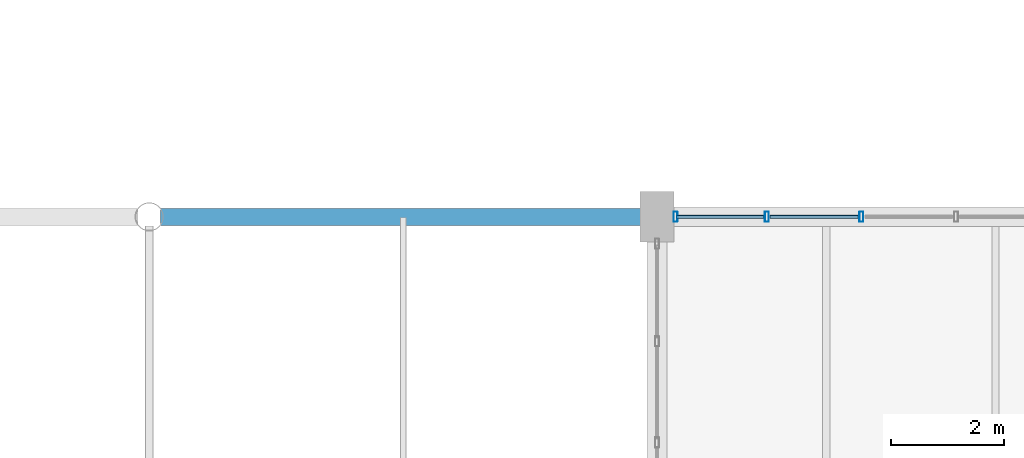
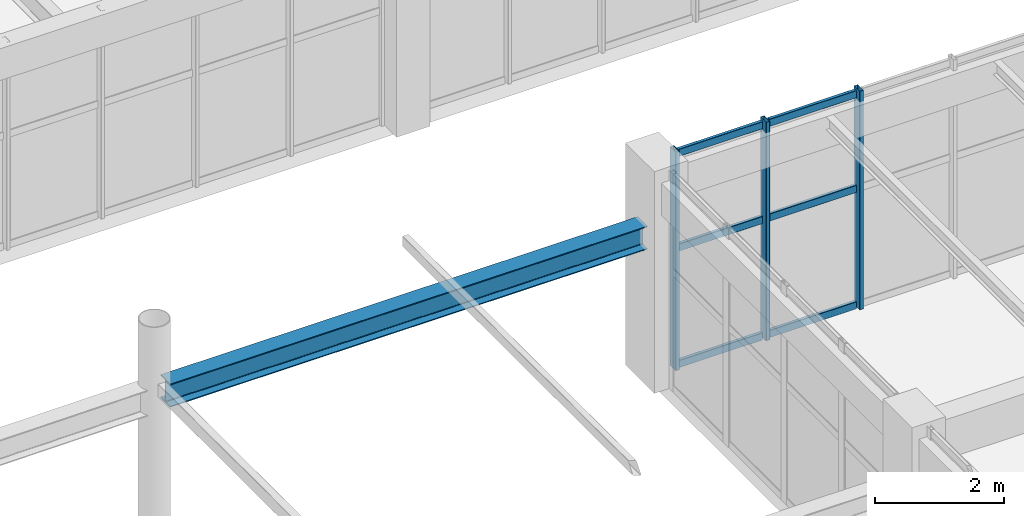
# One storey, part 57 of 148: 9 members, 1 beam, 1 element without a shape of its own.
"""IFC4 building model written with IfcOpenShell, lengths in metres."""

from ifc_helpers import new_model, si_unit, derived_unit, direction, frame, origin, origin_2d, place, context, subcontext, project, spatial, hollow_rectangle, i_section, extrude, material, material_profile, profile_set, type_object, element, aggregate, save


model = new_model("IFC4")

# Units and contexts
model_context = context("Model", 3, precision=1e-05, world=origin(), true_north=direction((0.0, 1.0)))
body_context = subcontext(model_context, "Body", "Model", "MODEL_VIEW")
ifc_project = project(units=[si_unit("LENGTHUNIT", "METRE"), si_unit("AREAUNIT", "SQUARE_METRE"), si_unit("VOLUMEUNIT", "CUBIC_METRE"), si_unit("PLANEANGLEUNIT", "RADIAN"), si_unit("MASSUNIT", "GRAM", prefix="KILO"), derived_unit("THERMALTRANSMITTANCEUNIT", [(si_unit("MASSUNIT", "GRAM", prefix="KILO"), 1), (si_unit("TIMEUNIT", "SECOND"), -3), (si_unit("THERMODYNAMICTEMPERATUREUNIT", "KELVIN"), -1)])], contexts=[model_context])

# Site, building, storey
site_placement = place(None, origin())
site = spatial("IfcSite", under=ifc_project, at=site_placement, CompositionType="ELEMENT")
building_placement = place(site_placement, origin())
building = spatial("IfcBuilding", under=site, at=building_placement, Name="Zhenchuan Archway Interchange", CompositionType="ELEMENT")
storey_placement = place(building_placement, frame((0.0, 0.0, 10.199951171875)))
storey = spatial("IfcBuildingStorey", under=building, at=storey_placement, Name="L02", CompositionType="ELEMENT", Elevation=10.199951171875)

# Beam
ifc_material_1 = material(Name="Steel Q355", Category="steel")
ifc_material_profile_1 = material_profile(ifc_material_1, i_section(OverallWidth=0.300048828125, OverallDepth=0.43994140625, WebThickness=0.010986328125, FlangeThickness=0.01806640625, FilletRadius=0.02197265625, at=origin_2d()), Name="HM 440x300")
ifc_profile_set_1 = profile_set([ifc_material_profile_1], Name="Steel Q355")
beam_type = type_object("IfcBeamType", Name="BM_STL_HM440", PredefinedType="BEAM", material=ifc_profile_set_1)
beam_placement = place(storey_placement, frame((18.199951171875, 88.0, 2.75), z_axis=(1.0, 0.0, 0.0), x_axis=(0.0, 1.0, 0.0)))
element("IfcBeam", 1, at=beam_placement, inside=storey, type_object=beam_type, Name="ROOF TRUSS bus canopy T9 east bottom chord", PredefinedType="BEAM", context=body_context, shape_type="SweptSolid", body=[
    extrude(i_section(OverallWidth=0.300048828125, OverallDepth=0.43994140625, WebThickness=0.010986328125, FlangeThickness=0.01806640625, FilletRadius=0.02197265625, at=origin_2d()), origin(), (0.0, 0.0, 1.0), 8.550048828125),
])

# Curtain wall, members
ifc_material_2 = material(Name="Anodised Aluminium", Category="aluminium")
curtain_wall_type = type_object("IfcCurtainWallType", Name="CW_UNIT_1", PredefinedType="NOTDEFINED", material=ifc_material_2)
curtain_wall_placement = place(storey_placement, origin())
curtain_wall = element("IfcCurtainWall", 2, at=curtain_wall_placement, inside=storey, type_object=curtain_wall_type, Name="Unitised curtain wall CW:L02:116", PredefinedType="NOTDEFINED")
ifc_material_profile_2 = material_profile(ifc_material_2, hollow_rectangle(XDim=0.070068359375, YDim=0.179931640625, WallThickness=0.00390625, InnerFilletRadius=0.00390625, OuterFilletRadius=0.008056640625, at=origin_2d()), Name="ALU 180x70x4")
ifc_profile_set_2 = profile_set([ifc_material_profile_2], Name="Anodised Aluminium")
member_type_1 = type_object("IfcMemberType", Name="CW_MUL_180", PredefinedType="MULLION", material=ifc_profile_set_2)
member_1_placement = place(storey_placement, frame((27.327880859375, 88.0, 0.0), z_axis=(0.0, 0.0, 1.0), x_axis=(1.0, 0.0, 0.0)))
member_1 = element("IfcMember", 3, at=member_1_placement, type_object=member_type_1, Name="CW:L02:116 mullion 0", PredefinedType="MULLION", context=body_context, shape_type="SweptSolid", body=[
    extrude(hollow_rectangle(XDim=0.070068359375, YDim=0.179931640625, WallThickness=0.00390625, InnerFilletRadius=0.00390625, OuterFilletRadius=0.008056640625, at=origin_2d()), origin(), (0.0, 0.0, 1.0), 4.14013671875),
])
member_2_placement = place(storey_placement, frame((28.94580078125, 88.0, 0.0), z_axis=(0.0, 0.0, 1.0), x_axis=(1.0, 0.0, 0.0)))
member_2 = element("IfcMember", 4, at=member_2_placement, type_object=member_type_1, Name="CW:L02:116 mullion 1", PredefinedType="MULLION", context=body_context, shape_type="SweptSolid", body=[
    extrude(hollow_rectangle(XDim=0.070068359375, YDim=0.179931640625, WallThickness=0.00390625, InnerFilletRadius=0.00390625, OuterFilletRadius=0.008056640625, at=origin_2d()), origin(), (0.0, 0.0, 1.0), 4.14013671875),
])
member_3_placement = place(storey_placement, frame((30.62353515625, 88.0, 0.0), z_axis=(0.0, 0.0, 1.0), x_axis=(1.0, 0.0, 0.0)))
member_3 = element("IfcMember", 5, at=member_3_placement, type_object=member_type_1, Name="CW:L02:116 mullion 2", PredefinedType="MULLION", context=body_context, shape_type="SweptSolid", body=[
    extrude(hollow_rectangle(XDim=0.070068359375, YDim=0.179931640625, WallThickness=0.00390625, InnerFilletRadius=0.00390625, OuterFilletRadius=0.008056640625, at=origin_2d()), origin(), (0.0, 0.0, 1.0), 4.14013671875),
])
ifc_material_profile_3 = material_profile(ifc_material_2, hollow_rectangle(XDim=0.06005859375, YDim=0.139892578125, WallThickness=0.00341796875, InnerFilletRadius=0.00341796875, OuterFilletRadius=0.007080078125, at=origin_2d()), Name="ALU 140x60x3.5")
ifc_profile_set_3 = profile_set([ifc_material_profile_3], Name="Anodised Aluminium")
member_type_2 = type_object("IfcMemberType", Name="CW_TRN_140", PredefinedType="USERDEFINED", material=ifc_profile_set_3)
member_4_placement = place(storey_placement, frame((27.347900390625, 88.0, 0.06005859375), z_axis=(1.0, 0.0, 0.0), x_axis=(0.0, 1.0, 0.0)))
member_4 = element("IfcMember", 6, at=member_4_placement, type_object=member_type_2, Name="CW:L02:116 transom 0-1", ObjectType="TRANSOM", PredefinedType="USERDEFINED", context=body_context, shape_type="SweptSolid", body=[
    extrude(hollow_rectangle(XDim=0.06005859375, YDim=0.139892578125, WallThickness=0.00341796875, InnerFilletRadius=0.00341796875, OuterFilletRadius=0.007080078125, at=origin_2d()), origin(), (0.0, 0.0, 1.0), 1.537841796875),
])
member_5_placement = place(storey_placement, frame((27.347900390625, 88.0, 2.26611328125), z_axis=(1.0, 0.0, 0.0), x_axis=(0.0, 1.0, 0.0)))
member_5 = element("IfcMember", 7, at=member_5_placement, type_object=member_type_2, Name="CW:L02:116 transom 0-2", ObjectType="TRANSOM", PredefinedType="USERDEFINED", context=body_context, shape_type="SweptSolid", body=[
    extrude(hollow_rectangle(XDim=0.06005859375, YDim=0.139892578125, WallThickness=0.00341796875, InnerFilletRadius=0.00341796875, OuterFilletRadius=0.007080078125, at=origin_2d()), origin(), (0.0, 0.0, 1.0), 1.537841796875),
])
member_6_placement = place(storey_placement, frame((27.347900390625, 88.0, 4.06005859375), z_axis=(1.0, 0.0, 0.0), x_axis=(0.0, 1.0, 0.0)))
member_6 = element("IfcMember", 8, at=member_6_placement, type_object=member_type_2, Name="CW:L02:116 transom 0-3", ObjectType="TRANSOM", PredefinedType="USERDEFINED", context=body_context, shape_type="SweptSolid", body=[
    extrude(hollow_rectangle(XDim=0.06005859375, YDim=0.139892578125, WallThickness=0.00341796875, InnerFilletRadius=0.00341796875, OuterFilletRadius=0.007080078125, at=origin_2d()), origin(), (0.0, 0.0, 1.0), 1.537841796875),
])
member_7_placement = place(storey_placement, frame((29.005859375, 88.0, 0.06005859375), z_axis=(1.0, 0.0, 0.0), x_axis=(0.0, 1.0, 0.0)))
member_7 = element("IfcMember", 9, at=member_7_placement, type_object=member_type_2, Name="CW:L02:116 transom 1-1", ObjectType="TRANSOM", PredefinedType="USERDEFINED", context=body_context, shape_type="SweptSolid", body=[
    extrude(hollow_rectangle(XDim=0.06005859375, YDim=0.139892578125, WallThickness=0.00341796875, InnerFilletRadius=0.00341796875, OuterFilletRadius=0.007080078125, at=origin_2d()), origin(), (0.0, 0.0, 1.0), 1.557861328125),
])
member_8_placement = place(storey_placement, frame((29.005859375, 88.0, 2.26611328125), z_axis=(1.0, 0.0, 0.0), x_axis=(0.0, 1.0, 0.0)))
member_8 = element("IfcMember", 10, at=member_8_placement, type_object=member_type_2, Name="CW:L02:116 transom 1-2", ObjectType="TRANSOM", PredefinedType="USERDEFINED", context=body_context, shape_type="SweptSolid", body=[
    extrude(hollow_rectangle(XDim=0.06005859375, YDim=0.139892578125, WallThickness=0.00341796875, InnerFilletRadius=0.00341796875, OuterFilletRadius=0.007080078125, at=origin_2d()), origin(), (0.0, 0.0, 1.0), 1.557861328125),
])
member_9_placement = place(storey_placement, frame((29.005859375, 88.0, 4.06005859375), z_axis=(1.0, 0.0, 0.0), x_axis=(0.0, 1.0, 0.0)))
member_9 = element("IfcMember", 11, at=member_9_placement, type_object=member_type_2, Name="CW:L02:116 transom 1-3", ObjectType="TRANSOM", PredefinedType="USERDEFINED", context=body_context, shape_type="SweptSolid", body=[
    extrude(hollow_rectangle(XDim=0.06005859375, YDim=0.139892578125, WallThickness=0.00341796875, InnerFilletRadius=0.00341796875, OuterFilletRadius=0.007080078125, at=origin_2d()), origin(), (0.0, 0.0, 1.0), 1.557861328125),
])
aggregate(curtain_wall, [member_1, member_2, member_3, member_4, member_5, member_6, member_7, member_8, member_9])

save(model, "model.ifc")
